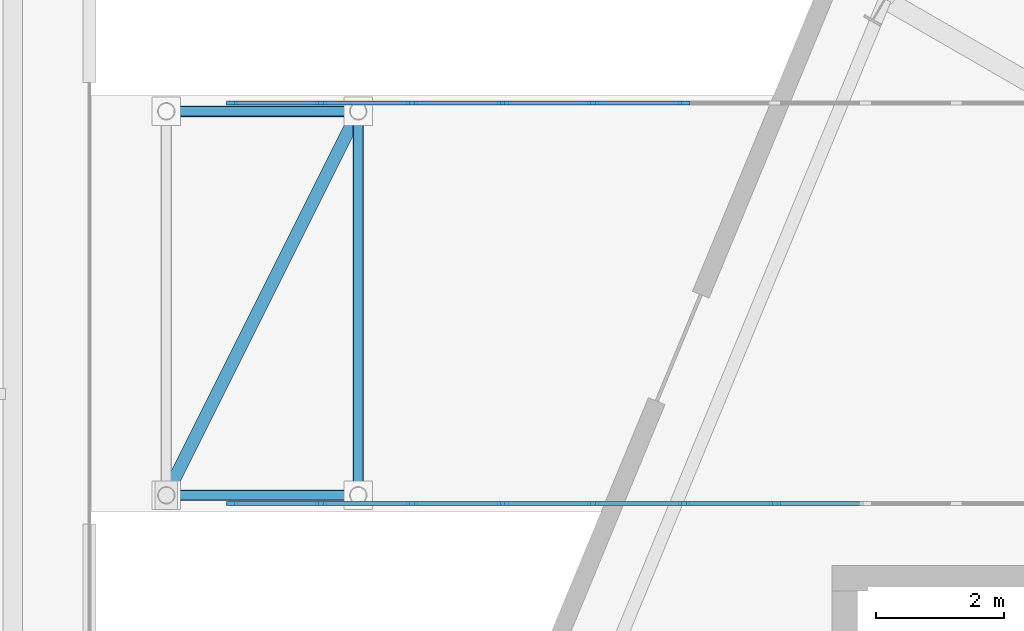
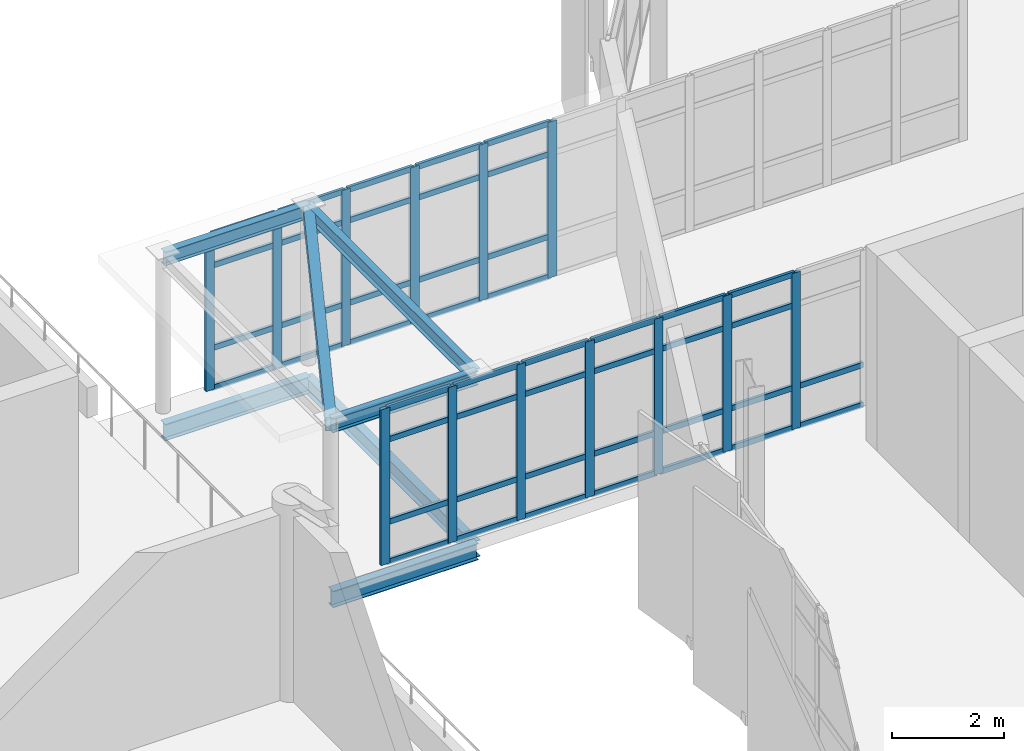
# One storey, part 43 of 120: 60 members, 6 beams, 2 elements without a shape of their own.
"""IFC4 building model written with IfcOpenShell, lengths in metres."""

import ifcopenshell
import ifcopenshell.guid

model = None  # the IFC model being written
_history = None  # IfcOwnerHistory: only IFC2X3 demands one
_inside = {}  # id of a spatial element -> (the spatial element, [elements in it])
_under = {}  # id of a project, library or spatial element -> (it, [spatial elements below it])
_declared = {}  # id of a project -> (the project, [libraries it declares])
_typed = {}  # id of a type object -> (the type object, [elements of that type])
_made_of = {}  # id of a material, layer set ... -> (it, [elements and type objects made of it])


def new_model(schema):
    """Start an empty IFC model of exactly this schema.

    Asked for "IFC4X3", IfcOpenShell would pick the latest addendum, in which some entities
    have other attributes; the version numbers below select the first issue.
    IFC2X3 requires an IfcOwnerHistory on every rooted entity: one is made here for all.
    """
    global model, _history
    if schema == "IFC4X3":
        model = ifcopenshell.file(schema_version=(4, 3, 0, 0))
    else:
        model = ifcopenshell.file(schema=schema)
    _inside.clear()
    _under.clear()
    _declared.clear()
    _typed.clear()
    _made_of.clear()
    _history = None
    if model.schema == "IFC2X3":
        org = make("IfcOrganization", Name="unknown")
        user = make(
            "IfcPersonAndOrganization",
            ThePerson=make("IfcPerson", FamilyName="unknown"),
            TheOrganization=org,
        )
        app = make(
            "IfcApplication",
            ApplicationDeveloper=org,
            Version="unknown",
            ApplicationFullName="unknown",
            ApplicationIdentifier="unknown",
        )
        _history = make(
            "IfcOwnerHistory",
            OwningUser=user,
            OwningApplication=app,
            ChangeAction="ADDED",
            CreationDate=0,
        )
    return model


def make(cls, **values):
    """One entity of the class cls with the attributes given. An attribute that is None is left unset."""
    return model.create_entity(
        cls, **{name: value for name, value in values.items() if value is not None}
    )


def rooted(cls, **values):
    """An entity with a GlobalId (a new one), such as an element, a storey or a relation."""
    return make(cls, GlobalId=ifcopenshell.guid.new(), OwnerHistory=_history, **values)


def si_unit(unit_type, name, prefix=None):
    """IfcSIUnit, for example si_unit("LENGTHUNIT", "METRE", prefix="MILLI")."""
    return make("IfcSIUnit", UnitType=unit_type, Prefix=prefix, Name=name)


def assignment(units):
    """IfcUnitAssignment: the units of a project."""
    return None if units is None else make("IfcUnitAssignment", Units=units)


def point(xyz):
    """IfcCartesianPoint."""
    return None if xyz is None else make("IfcCartesianPoint", Coordinates=xyz)


def direction(xyz):
    """IfcDirection."""
    return None if xyz is None else make("IfcDirection", DirectionRatios=xyz)


def frame(location, z_axis=None, x_axis=None):
    """IfcAxis2Placement3D, a coordinate frame: its origin and axes. An axis left out is left unset."""
    return make(
        "IfcAxis2Placement3D",
        Location=point(location),
        Axis=direction(z_axis),
        RefDirection=direction(x_axis),
    )


def frame_2d(location, x_axis=None):
    """IfcAxis2Placement2D, a coordinate frame in the plane: its origin and x axis."""
    return make(
        "IfcAxis2Placement2D", Location=point(location), RefDirection=direction(x_axis)
    )


def origin():
    """The frame at (0, 0, 0) with its axes left unset."""
    return frame((0.0, 0.0, 0.0))


def origin_2d():
    """The frame at (0, 0) in the plane with its x axis left unset."""
    return frame_2d((0.0, 0.0))


def place(relative_to, where):
    """IfcLocalPlacement: puts the frame where relative to a parent placement (None: the world)."""
    return make(
        "IfcLocalPlacement", PlacementRelTo=relative_to, RelativePlacement=where
    )


def context(
    kind, dimensions, precision=None, world=None, true_north=None, identifier=None
):
    """IfcGeometricRepresentationContext, for example the 3D "Model" context."""
    return make(
        "IfcGeometricRepresentationContext",
        ContextIdentifier=identifier,
        ContextType=kind,
        CoordinateSpaceDimension=dimensions,
        Precision=precision,
        WorldCoordinateSystem=world,
        TrueNorth=true_north,
    )


def subcontext(parent, identifier, kind, view, scale=None):
    """IfcGeometricRepresentationSubContext, for example "Body" below "Model"."""
    return make(
        "IfcGeometricRepresentationSubContext",
        ContextIdentifier=identifier,
        ContextType=kind,
        ParentContext=parent,
        TargetScale=scale,
        TargetView=view,
    )


def project(units=None, contexts=None):
    """IfcProject with its units and contexts."""
    return rooted(
        "IfcProject",
        Name="project",
        RepresentationContexts=contexts,
        UnitsInContext=assignment(units),
    )


def spatial(cls, under=None, at=None, **own):
    """A site, building, storey or space (cls), placed at a placement, below another one or the project."""
    s = rooted(cls, ObjectPlacement=at, **own)
    if under is not None:
        _under.setdefault(under.id(), (under, []))[1].append(s)
    return s


def profile(cls, at=None, kind="AREA", **sizes):
    """A parametric profile (cls). Its sizes go by their IFC names, for example OverallWidth=200.0."""
    return make(cls, ProfileType=kind, Position=at, **sizes)


def rectangle(**sizes):
    """IfcRectangleProfileDef."""
    return profile("IfcRectangleProfileDef", **sizes)


def hollow_rectangle(**sizes):
    """IfcRectangleHollowProfileDef."""
    return profile("IfcRectangleHollowProfileDef", **sizes)


def i_section(**sizes):
    """IfcIShapeProfileDef."""
    return profile("IfcIShapeProfileDef", **sizes)


def extrude(swept, where, along, depth):
    """IfcExtrudedAreaSolid: the profile swept, set in the frame where, extruded along a direction by depth."""
    return make(
        "IfcExtrudedAreaSolid",
        SweptArea=swept,
        Position=where,
        ExtrudedDirection=direction(along),
        Depth=depth,
    )


def shape(context_of_items, identifier, shape_type, items):
    """IfcShapeRepresentation: the items that make up one representation, for example the "Body"."""
    return make(
        "IfcShapeRepresentation",
        ContextOfItems=context_of_items,
        RepresentationIdentifier=identifier,
        RepresentationType=shape_type,
        Items=items,
    )


def material(Name=None, Category=None):
    """IfcMaterial."""
    return make("IfcMaterial", Name=Name, Category=Category)


def layer(
    of_material, thickness, ventilated=None, Name=None, Category=None, Priority=None
):
    """IfcMaterialLayer: one layer of a wall or slab, of a material (None: an air gap)."""
    return make(
        "IfcMaterialLayer",
        Material=of_material,
        LayerThickness=thickness,
        IsVentilated=ventilated,
        Name=Name,
        Category=Category,
        Priority=Priority,
    )


def layer_set(layers, Name=None):
    """IfcMaterialLayerSet."""
    return make("IfcMaterialLayerSet", MaterialLayers=layers, LayerSetName=Name)


def material_profile(
    of_material, cross_section, Name=None, Category=None, Priority=None
):
    """IfcMaterialProfile: a cross section and its material."""
    return make(
        "IfcMaterialProfile",
        Name=Name,
        Material=of_material,
        Profile=cross_section,
        Priority=Priority,
        Category=Category,
    )


def profile_set(profiles, Name=None, composite=None):
    """IfcMaterialProfileSet."""
    return make(
        "IfcMaterialProfileSet",
        Name=Name,
        MaterialProfiles=profiles,
        CompositeProfile=composite,
    )


def made_of(thing, what):
    """Note that an element or type object is made of a material, layer set ...; save() writes the relation."""
    if what is not None:
        _made_of.setdefault(what.id(), (what, []))[1].append(thing)
    return thing


def type_object(cls, material=None, **own):
    """A type object (cls), such as IfcWallType, which elements share."""
    return made_of(rooted(cls, **own), material)


def element(
    cls,
    number,
    at=None,
    inside=None,
    cuts=None,
    type_object=None,
    material=None,
    context=None,
    identifier="Body",
    shape_type=None,
    held_by="IfcProductDefinitionShape",
    body=None,
    shapes=None,
    **own,
):
    """One element of the class cls, such as IfcWall. Its Tag is "e" and its number.

    at: its placement. inside: the storey or other place that contains it. cuts: it is an
    opening in that element (IfcRelVoidsElement). A single representation is given by context,
    identifier, shape_type and body (its items); several are given by shapes. held_by: the class
    of the entity that holds the representations. save() writes the other relations.
    """
    e = rooted(cls, Tag="e%d" % number, ObjectPlacement=at, **own)
    if body is not None:
        shapes = [shape(context, identifier, shape_type, body)]
    if shapes is not None:
        e.Representation = make(held_by, Representations=shapes)
    if inside is not None:
        _inside.setdefault(inside.id(), (inside, []))[1].append(e)
    if cuts is not None:
        rooted(
            "IfcRelVoidsElement", RelatingBuildingElement=cuts, RelatedOpeningElement=e
        )
    if type_object is not None:
        _typed.setdefault(type_object.id(), (type_object, []))[1].append(e)
    return made_of(e, material)


def aggregate(whole, parts):
    """IfcRelAggregates: a whole, such as a stair, and the parts it consists of."""
    return rooted("IfcRelAggregates", RelatingObject=whole, RelatedObjects=parts)


def save(model, path):
    """Write the relations noted so far, then the file.

    IfcRelAggregates (storeys below a building ...), IfcRelContainedInSpatialStructure (elements
    in a storey), IfcRelDefinesByType, IfcRelAssociatesMaterial and IfcRelDeclares: one each for
    every whole, place, type object, material and project.
    """
    for whole, parts in _under.values():
        aggregate(whole, parts)
    for where, things in _inside.values():
        rooted(
            "IfcRelContainedInSpatialStructure",
            RelatedElements=things,
            RelatingStructure=where,
        )
    for kind, things in _typed.values():
        rooted("IfcRelDefinesByType", RelatedObjects=things, RelatingType=kind)
    for what, things in _made_of.values():
        rooted("IfcRelAssociatesMaterial", RelatedObjects=things, RelatingMaterial=what)
    for by, libraries in _declared.values():
        rooted("IfcRelDeclares", RelatingContext=by, RelatedDefinitions=libraries)
    model.write(path)


model = new_model("IFC4")

# Units and contexts
model_context = context("Model", 3, precision=1e-05, world=origin(), true_north=direction((0.0, 1.0)))
body_context = subcontext(model_context, "Body", "Model", "MODEL_VIEW")
ifc_project = project(units=[si_unit("LENGTHUNIT", "METRE"), si_unit("AREAUNIT", "SQUARE_METRE"), si_unit("VOLUMEUNIT", "CUBIC_METRE"), si_unit("PLANEANGLEUNIT", "RADIAN"), si_unit("MASSUNIT", "GRAM", prefix="KILO")], contexts=[model_context])

# Site, building, storey
site_placement = place(None, origin())
site = spatial("IfcSite", under=ifc_project, at=site_placement, CompositionType="ELEMENT")
building_placement = place(site_placement, origin())
building = spatial("IfcBuilding", under=site, at=building_placement, Name="Sohan Crest Arena", CompositionType="ELEMENT")
storey_placement = place(building_placement, frame((0.0, 0.0, 13.5)))
storey = spatial("IfcBuildingStorey", under=building, at=storey_placement, Name="L03", CompositionType="ELEMENT", Elevation=13.5)

# Curtain wall, members
ifc_material_1 = material(Name="Thermally broken anodised aluminium", Category="aluminium")
ifc_layer = layer(ifc_material_1, 0.18994140625, Name="Thermally broken anodised aluminium")
ifc_layer_set = layer_set([ifc_layer], Name="Thermally broken anodised aluminium")
curtain_wall_type = type_object("IfcCurtainWallType", Name="ARC-CW05", PredefinedType="NOTDEFINED", material=ifc_layer_set)
curtain_wall_1_placement = place(storey_placement, origin())
curtain_wall_1 = element("IfcCurtainWall", 1, at=curtain_wall_1_placement, inside=storey, type_object=curtain_wall_type, Name="Unitised curtain wall CW-237", PredefinedType="NOTDEFINED")
ifc_material_profile_1 = material_profile(ifc_material_1, rectangle(XDim=0.06494140625, YDim=0.179931640625, at=origin_2d()), Name="ALU-MULL 65x180")
ifc_profile_set_1 = profile_set([ifc_material_profile_1], Name="Thermally broken anodised aluminium")
member_type_1 = type_object("IfcMemberType", Name="ARC-CW-ML02", PredefinedType="MULLION", material=ifc_profile_set_1)
member_1_placement = place(storey_placement, frame((46.232421875, 94.1201171875, 0.0), z_axis=(0.0, 0.0, 1.0), x_axis=(0.0, 1.0, 0.0)))
member_1 = element("IfcMember", 2, at=member_1_placement, type_object=member_type_1, Name="CW-237 mullion 1", PredefinedType="MULLION", context=body_context, shape_type="SweptSolid", body=[
    extrude(rectangle(XDim=0.06494140625, YDim=0.179931640625, at=origin_2d()), origin(), (0.0, 0.0, 1.0), 3.39990234375),
])
member_2_placement = place(storey_placement, frame((47.6181640625, 94.1201171875, 0.0), z_axis=(0.0, 0.0, 1.0), x_axis=(0.0, 1.0, 0.0)))
member_2 = element("IfcMember", 3, at=member_2_placement, type_object=member_type_1, Name="CW-237 mullion 2", PredefinedType="MULLION", context=body_context, shape_type="SweptSolid", body=[
    extrude(rectangle(XDim=0.06494140625, YDim=0.179931640625, at=origin_2d()), origin(), (0.0, 0.0, 1.0), 3.39990234375),
])
member_3_placement = place(storey_placement, frame((49.036376953125, 94.1201171875, 0.0), z_axis=(0.0, 0.0, 1.0), x_axis=(0.0, 1.0, 0.0)))
member_3 = element("IfcMember", 4, at=member_3_placement, type_object=member_type_1, Name="CW-237 mullion 3", PredefinedType="MULLION", context=body_context, shape_type="SweptSolid", body=[
    extrude(rectangle(XDim=0.06494140625, YDim=0.179931640625, at=origin_2d()), origin(), (0.0, 0.0, 1.0), 3.39990234375),
])
member_4_placement = place(storey_placement, frame((50.45458984375, 94.1201171875, 0.0), z_axis=(0.0, 0.0, 1.0), x_axis=(0.0, 1.0, 0.0)))
member_4 = element("IfcMember", 5, at=member_4_placement, type_object=member_type_1, Name="CW-237 mullion 4", PredefinedType="MULLION", context=body_context, shape_type="SweptSolid", body=[
    extrude(rectangle(XDim=0.06494140625, YDim=0.179931640625, at=origin_2d()), origin(), (0.0, 0.0, 1.0), 3.39990234375),
])
member_5_placement = place(storey_placement, frame((51.872802734375, 94.1201171875, 0.0), z_axis=(0.0, 0.0, 1.0), x_axis=(0.0, 1.0, 0.0)))
member_5 = element("IfcMember", 6, at=member_5_placement, type_object=member_type_1, Name="CW-237 mullion 5", PredefinedType="MULLION", context=body_context, shape_type="SweptSolid", body=[
    extrude(rectangle(XDim=0.06494140625, YDim=0.179931640625, at=origin_2d()), origin(), (0.0, 0.0, 1.0), 3.39990234375),
])
member_6_placement = place(storey_placement, frame((53.291015625, 94.1201171875, 0.0), z_axis=(0.0, 0.0, 1.0), x_axis=(0.0, 1.0, 0.0)))
member_6 = element("IfcMember", 7, at=member_6_placement, type_object=member_type_1, Name="CW-237 mullion 6", PredefinedType="MULLION", context=body_context, shape_type="SweptSolid", body=[
    extrude(rectangle(XDim=0.06494140625, YDim=0.179931640625, at=origin_2d()), origin(), (0.0, 0.0, 1.0), 3.39990234375),
])
member_7_placement = place(storey_placement, frame((54.708984375, 94.1201171875, 0.0), z_axis=(0.0, 0.0, 1.0), x_axis=(0.0, 1.0, 0.0)))
member_7 = element("IfcMember", 8, at=member_7_placement, type_object=member_type_1, Name="CW-237 mullion 7", PredefinedType="MULLION", context=body_context, shape_type="SweptSolid", body=[
    extrude(rectangle(XDim=0.06494140625, YDim=0.179931640625, at=origin_2d()), origin(), (0.0, 0.0, 1.0), 3.39990234375),
])

curtain_wall_2_placement = place(storey_placement, origin())
curtain_wall_2 = element("IfcCurtainWall", 9, at=curtain_wall_2_placement, inside=storey, type_object=curtain_wall_type, Name="Unitised curtain wall CW-238", PredefinedType="NOTDEFINED")
member_8_placement = place(storey_placement, frame((46.232421875, 100.3798828125, 0.0), z_axis=(0.0, 0.0, 1.0), x_axis=(0.0, 1.0, 0.0)))
member_8 = element("IfcMember", 10, at=member_8_placement, type_object=member_type_1, Name="CW-238 mullion 1", PredefinedType="MULLION", context=body_context, shape_type="SweptSolid", body=[
    extrude(rectangle(XDim=0.06494140625, YDim=0.179931640625, at=origin_2d()), origin(), (0.0, 0.0, 1.0), 3.39990234375),
])
member_9_placement = place(storey_placement, frame((47.6181640625, 100.3798828125, 0.0), z_axis=(0.0, 0.0, 1.0), x_axis=(0.0, 1.0, 0.0)))
member_9 = element("IfcMember", 11, at=member_9_placement, type_object=member_type_1, Name="CW-238 mullion 2", PredefinedType="MULLION", context=body_context, shape_type="SweptSolid", body=[
    extrude(rectangle(XDim=0.06494140625, YDim=0.179931640625, at=origin_2d()), origin(), (0.0, 0.0, 1.0), 3.39990234375),
])
member_10_placement = place(storey_placement, frame((49.036376953125, 100.3798828125, 0.0), z_axis=(0.0, 0.0, 1.0), x_axis=(0.0, 1.0, 0.0)))
member_10 = element("IfcMember", 12, at=member_10_placement, type_object=member_type_1, Name="CW-238 mullion 3", PredefinedType="MULLION", context=body_context, shape_type="SweptSolid", body=[
    extrude(rectangle(XDim=0.06494140625, YDim=0.179931640625, at=origin_2d()), origin(), (0.0, 0.0, 1.0), 3.39990234375),
])
member_11_placement = place(storey_placement, frame((50.45458984375, 100.3798828125, 0.0), z_axis=(0.0, 0.0, 1.0), x_axis=(0.0, 1.0, 0.0)))
member_11 = element("IfcMember", 13, at=member_11_placement, type_object=member_type_1, Name="CW-238 mullion 4", PredefinedType="MULLION", context=body_context, shape_type="SweptSolid", body=[
    extrude(rectangle(XDim=0.06494140625, YDim=0.179931640625, at=origin_2d()), origin(), (0.0, 0.0, 1.0), 3.39990234375),
])
member_12_placement = place(storey_placement, frame((51.872802734375, 100.3798828125, 0.0), z_axis=(0.0, 0.0, 1.0), x_axis=(0.0, 1.0, 0.0)))
member_12 = element("IfcMember", 14, at=member_12_placement, type_object=member_type_1, Name="CW-238 mullion 5", PredefinedType="MULLION", context=body_context, shape_type="SweptSolid", body=[
    extrude(rectangle(XDim=0.06494140625, YDim=0.179931640625, at=origin_2d()), origin(), (0.0, 0.0, 1.0), 3.39990234375),
])
member_13_placement = place(storey_placement, frame((53.291015625, 100.3798828125, 0.0), z_axis=(0.0, 0.0, 1.0), x_axis=(0.0, 1.0, 0.0)))
member_13 = element("IfcMember", 15, at=member_13_placement, type_object=member_type_1, Name="CW-238 mullion 6", PredefinedType="MULLION", context=body_context, shape_type="SweptSolid", body=[
    extrude(rectangle(XDim=0.06494140625, YDim=0.179931640625, at=origin_2d()), origin(), (0.0, 0.0, 1.0), 3.39990234375),
])

# Member
ifc_material_profile_2 = material_profile(ifc_material_1, rectangle(XDim=0.06005859375, YDim=0.1201171875, at=origin_2d()), Name="ALU-TRAN 60x120")
ifc_profile_set_2 = profile_set([ifc_material_profile_2], Name="Thermally broken anodised aluminium")
member_type_2 = type_object("IfcMemberType", Name="ARC-CW-TR01", PredefinedType="USERDEFINED", material=ifc_profile_set_2)
member_14_placement = place(storey_placement, frame((46.264892578125, 94.1201171875, 0.030029296875), z_axis=(1.0, 0.0, 0.0), x_axis=(0.0, 1.0, 0.0)))
member_14 = element("IfcMember", 16, at=member_14_placement, type_object=member_type_2, Name="CW-237 transom 1.1", ObjectType="TRANSOM", PredefinedType="USERDEFINED", context=body_context, shape_type="SweptSolid", body=[
    extrude(rectangle(XDim=0.06005859375, YDim=0.1201171875, at=origin_2d()), origin(), (0.0, 0.0, 1.0), 1.32080078125),
])

member_15_placement = place(storey_placement, frame((46.264892578125, 94.1201171875, 0.89990234375), z_axis=(1.0, 0.0, 0.0), x_axis=(0.0, 1.0, 0.0)))
member_15 = element("IfcMember", 17, at=member_15_placement, type_object=member_type_2, Name="CW-237 transom 1.2", ObjectType="TRANSOM", PredefinedType="USERDEFINED", context=body_context, shape_type="SweptSolid", body=[
    extrude(rectangle(XDim=0.06005859375, YDim=0.1201171875, at=origin_2d()), origin(), (0.0, 0.0, 1.0), 1.32080078125),
])

member_16_placement = place(storey_placement, frame((46.264892578125, 94.1201171875, 2.699951171875), z_axis=(1.0, 0.0, 0.0), x_axis=(0.0, 1.0, 0.0)))
member_16 = element("IfcMember", 18, at=member_16_placement, type_object=member_type_2, Name="CW-237 transom 1.3", ObjectType="TRANSOM", PredefinedType="USERDEFINED", context=body_context, shape_type="SweptSolid", body=[
    extrude(rectangle(XDim=0.06005859375, YDim=0.1201171875, at=origin_2d()), origin(), (0.0, 0.0, 1.0), 1.32080078125),
])

member_17_placement = place(storey_placement, frame((46.264892578125, 94.1201171875, 3.3701171875), z_axis=(1.0, 0.0, 0.0), x_axis=(0.0, 1.0, 0.0)))
member_17 = element("IfcMember", 19, at=member_17_placement, type_object=member_type_2, Name="CW-237 transom 1.4", ObjectType="TRANSOM", PredefinedType="USERDEFINED", context=body_context, shape_type="SweptSolid", body=[
    extrude(rectangle(XDim=0.06005859375, YDim=0.1201171875, at=origin_2d()), origin(), (0.0, 0.0, 1.0), 1.32080078125),
])

member_18_placement = place(storey_placement, frame((47.650634765625, 94.1201171875, 0.030029296875), z_axis=(1.0, 0.0, 0.0), x_axis=(0.0, 1.0, 0.0)))
member_18 = element("IfcMember", 20, at=member_18_placement, type_object=member_type_2, Name="CW-237 transom 2.1", ObjectType="TRANSOM", PredefinedType="USERDEFINED", context=body_context, shape_type="SweptSolid", body=[
    extrude(rectangle(XDim=0.06005859375, YDim=0.1201171875, at=origin_2d()), origin(), (0.0, 0.0, 1.0), 1.353271484375),
])

member_19_placement = place(storey_placement, frame((47.650634765625, 94.1201171875, 0.89990234375), z_axis=(1.0, 0.0, 0.0), x_axis=(0.0, 1.0, 0.0)))
member_19 = element("IfcMember", 21, at=member_19_placement, type_object=member_type_2, Name="CW-237 transom 2.2", ObjectType="TRANSOM", PredefinedType="USERDEFINED", context=body_context, shape_type="SweptSolid", body=[
    extrude(rectangle(XDim=0.06005859375, YDim=0.1201171875, at=origin_2d()), origin(), (0.0, 0.0, 1.0), 1.353271484375),
])

member_20_placement = place(storey_placement, frame((47.650634765625, 94.1201171875, 2.699951171875), z_axis=(1.0, 0.0, 0.0), x_axis=(0.0, 1.0, 0.0)))
member_20 = element("IfcMember", 22, at=member_20_placement, type_object=member_type_2, Name="CW-237 transom 2.3", ObjectType="TRANSOM", PredefinedType="USERDEFINED", context=body_context, shape_type="SweptSolid", body=[
    extrude(rectangle(XDim=0.06005859375, YDim=0.1201171875, at=origin_2d()), origin(), (0.0, 0.0, 1.0), 1.353271484375),
])

member_21_placement = place(storey_placement, frame((47.650634765625, 94.1201171875, 3.3701171875), z_axis=(1.0, 0.0, 0.0), x_axis=(0.0, 1.0, 0.0)))
member_21 = element("IfcMember", 23, at=member_21_placement, type_object=member_type_2, Name="CW-237 transom 2.4", ObjectType="TRANSOM", PredefinedType="USERDEFINED", context=body_context, shape_type="SweptSolid", body=[
    extrude(rectangle(XDim=0.06005859375, YDim=0.1201171875, at=origin_2d()), origin(), (0.0, 0.0, 1.0), 1.353271484375),
])

member_22_placement = place(storey_placement, frame((49.06884765625, 94.1201171875, 0.030029296875), z_axis=(1.0, 0.0, 0.0), x_axis=(0.0, 1.0, 0.0)))
member_22 = element("IfcMember", 24, at=member_22_placement, type_object=member_type_2, Name="CW-237 transom 3.1", ObjectType="TRANSOM", PredefinedType="USERDEFINED", context=body_context, shape_type="SweptSolid", body=[
    extrude(rectangle(XDim=0.06005859375, YDim=0.1201171875, at=origin_2d()), origin(), (0.0, 0.0, 1.0), 1.353271484375),
])

member_23_placement = place(storey_placement, frame((49.06884765625, 94.1201171875, 0.89990234375), z_axis=(1.0, 0.0, 0.0), x_axis=(0.0, 1.0, 0.0)))
member_23 = element("IfcMember", 25, at=member_23_placement, type_object=member_type_2, Name="CW-237 transom 3.2", ObjectType="TRANSOM", PredefinedType="USERDEFINED", context=body_context, shape_type="SweptSolid", body=[
    extrude(rectangle(XDim=0.06005859375, YDim=0.1201171875, at=origin_2d()), origin(), (0.0, 0.0, 1.0), 1.353271484375),
])

member_24_placement = place(storey_placement, frame((49.06884765625, 94.1201171875, 2.699951171875), z_axis=(1.0, 0.0, 0.0), x_axis=(0.0, 1.0, 0.0)))
member_24 = element("IfcMember", 26, at=member_24_placement, type_object=member_type_2, Name="CW-237 transom 3.3", ObjectType="TRANSOM", PredefinedType="USERDEFINED", context=body_context, shape_type="SweptSolid", body=[
    extrude(rectangle(XDim=0.06005859375, YDim=0.1201171875, at=origin_2d()), origin(), (0.0, 0.0, 1.0), 1.353271484375),
])

member_25_placement = place(storey_placement, frame((49.06884765625, 94.1201171875, 3.3701171875), z_axis=(1.0, 0.0, 0.0), x_axis=(0.0, 1.0, 0.0)))
member_25 = element("IfcMember", 27, at=member_25_placement, type_object=member_type_2, Name="CW-237 transom 3.4", ObjectType="TRANSOM", PredefinedType="USERDEFINED", context=body_context, shape_type="SweptSolid", body=[
    extrude(rectangle(XDim=0.06005859375, YDim=0.1201171875, at=origin_2d()), origin(), (0.0, 0.0, 1.0), 1.353271484375),
])

member_26_placement = place(storey_placement, frame((50.487060546875, 94.1201171875, 0.030029296875), z_axis=(1.0, 0.0, 0.0), x_axis=(0.0, 1.0, 0.0)))
member_26 = element("IfcMember", 28, at=member_26_placement, type_object=member_type_2, Name="CW-237 transom 4.1", ObjectType="TRANSOM", PredefinedType="USERDEFINED", context=body_context, shape_type="SweptSolid", body=[
    extrude(rectangle(XDim=0.06005859375, YDim=0.1201171875, at=origin_2d()), origin(), (0.0, 0.0, 1.0), 1.353271484375),
])

member_27_placement = place(storey_placement, frame((50.487060546875, 94.1201171875, 0.89990234375), z_axis=(1.0, 0.0, 0.0), x_axis=(0.0, 1.0, 0.0)))
member_27 = element("IfcMember", 29, at=member_27_placement, type_object=member_type_2, Name="CW-237 transom 4.2", ObjectType="TRANSOM", PredefinedType="USERDEFINED", context=body_context, shape_type="SweptSolid", body=[
    extrude(rectangle(XDim=0.06005859375, YDim=0.1201171875, at=origin_2d()), origin(), (0.0, 0.0, 1.0), 1.353271484375),
])

member_28_placement = place(storey_placement, frame((50.487060546875, 94.1201171875, 2.699951171875), z_axis=(1.0, 0.0, 0.0), x_axis=(0.0, 1.0, 0.0)))
member_28 = element("IfcMember", 30, at=member_28_placement, type_object=member_type_2, Name="CW-237 transom 4.3", ObjectType="TRANSOM", PredefinedType="USERDEFINED", context=body_context, shape_type="SweptSolid", body=[
    extrude(rectangle(XDim=0.06005859375, YDim=0.1201171875, at=origin_2d()), origin(), (0.0, 0.0, 1.0), 1.353271484375),
])

member_29_placement = place(storey_placement, frame((50.487060546875, 94.1201171875, 3.3701171875), z_axis=(1.0, 0.0, 0.0), x_axis=(0.0, 1.0, 0.0)))
member_29 = element("IfcMember", 31, at=member_29_placement, type_object=member_type_2, Name="CW-237 transom 4.4", ObjectType="TRANSOM", PredefinedType="USERDEFINED", context=body_context, shape_type="SweptSolid", body=[
    extrude(rectangle(XDim=0.06005859375, YDim=0.1201171875, at=origin_2d()), origin(), (0.0, 0.0, 1.0), 1.353271484375),
])

member_30_placement = place(storey_placement, frame((51.9052734375, 94.1201171875, 0.030029296875), z_axis=(1.0, 0.0, 0.0), x_axis=(0.0, 1.0, 0.0)))
member_30 = element("IfcMember", 32, at=member_30_placement, type_object=member_type_2, Name="CW-237 transom 5.1", ObjectType="TRANSOM", PredefinedType="USERDEFINED", context=body_context, shape_type="SweptSolid", body=[
    extrude(rectangle(XDim=0.06005859375, YDim=0.1201171875, at=origin_2d()), origin(), (0.0, 0.0, 1.0), 1.35302734375),
])

member_31_placement = place(storey_placement, frame((51.9052734375, 94.1201171875, 0.89990234375), z_axis=(1.0, 0.0, 0.0), x_axis=(0.0, 1.0, 0.0)))
member_31 = element("IfcMember", 33, at=member_31_placement, type_object=member_type_2, Name="CW-237 transom 5.2", ObjectType="TRANSOM", PredefinedType="USERDEFINED", context=body_context, shape_type="SweptSolid", body=[
    extrude(rectangle(XDim=0.06005859375, YDim=0.1201171875, at=origin_2d()), origin(), (0.0, 0.0, 1.0), 1.35302734375),
])

member_32_placement = place(storey_placement, frame((51.9052734375, 94.1201171875, 2.699951171875), z_axis=(1.0, 0.0, 0.0), x_axis=(0.0, 1.0, 0.0)))
member_32 = element("IfcMember", 34, at=member_32_placement, type_object=member_type_2, Name="CW-237 transom 5.3", ObjectType="TRANSOM", PredefinedType="USERDEFINED", context=body_context, shape_type="SweptSolid", body=[
    extrude(rectangle(XDim=0.06005859375, YDim=0.1201171875, at=origin_2d()), origin(), (0.0, 0.0, 1.0), 1.35302734375),
])

member_33_placement = place(storey_placement, frame((51.9052734375, 94.1201171875, 3.3701171875), z_axis=(1.0, 0.0, 0.0), x_axis=(0.0, 1.0, 0.0)))
member_33 = element("IfcMember", 35, at=member_33_placement, type_object=member_type_2, Name="CW-237 transom 5.4", ObjectType="TRANSOM", PredefinedType="USERDEFINED", context=body_context, shape_type="SweptSolid", body=[
    extrude(rectangle(XDim=0.06005859375, YDim=0.1201171875, at=origin_2d()), origin(), (0.0, 0.0, 1.0), 1.35302734375),
])

member_34_placement = place(storey_placement, frame((53.323486328125, 94.1201171875, 0.030029296875), z_axis=(1.0, 0.0, 0.0), x_axis=(0.0, 1.0, 0.0)))
member_34 = element("IfcMember", 36, at=member_34_placement, type_object=member_type_2, Name="CW-237 transom 6.1", ObjectType="TRANSOM", PredefinedType="USERDEFINED", context=body_context, shape_type="SweptSolid", body=[
    extrude(rectangle(XDim=0.06005859375, YDim=0.1201171875, at=origin_2d()), origin(), (0.0, 0.0, 1.0), 1.35302734375),
])

member_35_placement = place(storey_placement, frame((53.323486328125, 94.1201171875, 0.89990234375), z_axis=(1.0, 0.0, 0.0), x_axis=(0.0, 1.0, 0.0)))
member_35 = element("IfcMember", 37, at=member_35_placement, type_object=member_type_2, Name="CW-237 transom 6.2", ObjectType="TRANSOM", PredefinedType="USERDEFINED", context=body_context, shape_type="SweptSolid", body=[
    extrude(rectangle(XDim=0.06005859375, YDim=0.1201171875, at=origin_2d()), origin(), (0.0, 0.0, 1.0), 1.35302734375),
])

member_36_placement = place(storey_placement, frame((53.323486328125, 94.1201171875, 2.699951171875), z_axis=(1.0, 0.0, 0.0), x_axis=(0.0, 1.0, 0.0)))
member_36 = element("IfcMember", 38, at=member_36_placement, type_object=member_type_2, Name="CW-237 transom 6.3", ObjectType="TRANSOM", PredefinedType="USERDEFINED", context=body_context, shape_type="SweptSolid", body=[
    extrude(rectangle(XDim=0.06005859375, YDim=0.1201171875, at=origin_2d()), origin(), (0.0, 0.0, 1.0), 1.35302734375),
])

member_37_placement = place(storey_placement, frame((53.323486328125, 94.1201171875, 3.3701171875), z_axis=(1.0, 0.0, 0.0), x_axis=(0.0, 1.0, 0.0)))
member_37 = element("IfcMember", 39, at=member_37_placement, type_object=member_type_2, Name="CW-237 transom 6.4", ObjectType="TRANSOM", PredefinedType="USERDEFINED", context=body_context, shape_type="SweptSolid", body=[
    extrude(rectangle(XDim=0.06005859375, YDim=0.1201171875, at=origin_2d()), origin(), (0.0, 0.0, 1.0), 1.35302734375),
])

member_38_placement = place(storey_placement, frame((54.74169921875, 94.1201171875, 0.030029296875), z_axis=(1.0, 0.0, 0.0), x_axis=(0.0, 1.0, 0.0)))
member_38 = element("IfcMember", 40, at=member_38_placement, type_object=member_type_2, Name="CW-237 transom 7.1", ObjectType="TRANSOM", PredefinedType="USERDEFINED", context=body_context, shape_type="SweptSolid", body=[
    extrude(rectangle(XDim=0.06005859375, YDim=0.1201171875, at=origin_2d()), origin(), (0.0, 0.0, 1.0), 1.35302734375),
])

member_39_placement = place(storey_placement, frame((54.74169921875, 94.1201171875, 0.89990234375), z_axis=(1.0, 0.0, 0.0), x_axis=(0.0, 1.0, 0.0)))
member_39 = element("IfcMember", 41, at=member_39_placement, type_object=member_type_2, Name="CW-237 transom 7.2", ObjectType="TRANSOM", PredefinedType="USERDEFINED", context=body_context, shape_type="SweptSolid", body=[
    extrude(rectangle(XDim=0.06005859375, YDim=0.1201171875, at=origin_2d()), origin(), (0.0, 0.0, 1.0), 1.35302734375),
])

aggregate(curtain_wall_1, [member_1, member_2, member_3, member_4, member_5, member_6, member_7, member_14, member_15, member_16, member_17, member_18, member_19, member_20, member_21, member_22, member_23, member_24, member_25, member_26, member_27, member_28, member_29, member_30, member_31, member_32, member_33, member_34, member_35, member_36, member_37, member_38, member_39])

member_40_placement = place(storey_placement, frame((46.264892578125, 100.3798828125, 0.030029296875), z_axis=(1.0, 0.0, 0.0), x_axis=(0.0, 1.0, 0.0)))
member_40 = element("IfcMember", 42, at=member_40_placement, type_object=member_type_2, Name="CW-238 transom 1.1", ObjectType="TRANSOM", PredefinedType="USERDEFINED", context=body_context, shape_type="SweptSolid", body=[
    extrude(rectangle(XDim=0.06005859375, YDim=0.1201171875, at=origin_2d()), origin(), (0.0, 0.0, 1.0), 1.32080078125),
])

member_41_placement = place(storey_placement, frame((46.264892578125, 100.3798828125, 0.89990234375), z_axis=(1.0, 0.0, 0.0), x_axis=(0.0, 1.0, 0.0)))
member_41 = element("IfcMember", 43, at=member_41_placement, type_object=member_type_2, Name="CW-238 transom 1.2", ObjectType="TRANSOM", PredefinedType="USERDEFINED", context=body_context, shape_type="SweptSolid", body=[
    extrude(rectangle(XDim=0.06005859375, YDim=0.1201171875, at=origin_2d()), origin(), (0.0, 0.0, 1.0), 1.32080078125),
])

member_42_placement = place(storey_placement, frame((46.264892578125, 100.3798828125, 2.699951171875), z_axis=(1.0, 0.0, 0.0), x_axis=(0.0, 1.0, 0.0)))
member_42 = element("IfcMember", 44, at=member_42_placement, type_object=member_type_2, Name="CW-238 transom 1.3", ObjectType="TRANSOM", PredefinedType="USERDEFINED", context=body_context, shape_type="SweptSolid", body=[
    extrude(rectangle(XDim=0.06005859375, YDim=0.1201171875, at=origin_2d()), origin(), (0.0, 0.0, 1.0), 1.32080078125),
])

member_43_placement = place(storey_placement, frame((46.264892578125, 100.3798828125, 3.3701171875), z_axis=(1.0, 0.0, 0.0), x_axis=(0.0, 1.0, 0.0)))
member_43 = element("IfcMember", 45, at=member_43_placement, type_object=member_type_2, Name="CW-238 transom 1.4", ObjectType="TRANSOM", PredefinedType="USERDEFINED", context=body_context, shape_type="SweptSolid", body=[
    extrude(rectangle(XDim=0.06005859375, YDim=0.1201171875, at=origin_2d()), origin(), (0.0, 0.0, 1.0), 1.32080078125),
])

member_44_placement = place(storey_placement, frame((47.650634765625, 100.3798828125, 0.030029296875), z_axis=(1.0, 0.0, 0.0), x_axis=(0.0, 1.0, 0.0)))
member_44 = element("IfcMember", 46, at=member_44_placement, type_object=member_type_2, Name="CW-238 transom 2.1", ObjectType="TRANSOM", PredefinedType="USERDEFINED", context=body_context, shape_type="SweptSolid", body=[
    extrude(rectangle(XDim=0.06005859375, YDim=0.1201171875, at=origin_2d()), origin(), (0.0, 0.0, 1.0), 1.353271484375),
])

member_45_placement = place(storey_placement, frame((47.650634765625, 100.3798828125, 0.89990234375), z_axis=(1.0, 0.0, 0.0), x_axis=(0.0, 1.0, 0.0)))
member_45 = element("IfcMember", 47, at=member_45_placement, type_object=member_type_2, Name="CW-238 transom 2.2", ObjectType="TRANSOM", PredefinedType="USERDEFINED", context=body_context, shape_type="SweptSolid", body=[
    extrude(rectangle(XDim=0.06005859375, YDim=0.1201171875, at=origin_2d()), origin(), (0.0, 0.0, 1.0), 1.353271484375),
])

member_46_placement = place(storey_placement, frame((47.650634765625, 100.3798828125, 2.699951171875), z_axis=(1.0, 0.0, 0.0), x_axis=(0.0, 1.0, 0.0)))
member_46 = element("IfcMember", 48, at=member_46_placement, type_object=member_type_2, Name="CW-238 transom 2.3", ObjectType="TRANSOM", PredefinedType="USERDEFINED", context=body_context, shape_type="SweptSolid", body=[
    extrude(rectangle(XDim=0.06005859375, YDim=0.1201171875, at=origin_2d()), origin(), (0.0, 0.0, 1.0), 1.353271484375),
])

member_47_placement = place(storey_placement, frame((47.650634765625, 100.3798828125, 3.3701171875), z_axis=(1.0, 0.0, 0.0), x_axis=(0.0, 1.0, 0.0)))
member_47 = element("IfcMember", 49, at=member_47_placement, type_object=member_type_2, Name="CW-238 transom 2.4", ObjectType="TRANSOM", PredefinedType="USERDEFINED", context=body_context, shape_type="SweptSolid", body=[
    extrude(rectangle(XDim=0.06005859375, YDim=0.1201171875, at=origin_2d()), origin(), (0.0, 0.0, 1.0), 1.353271484375),
])

member_48_placement = place(storey_placement, frame((49.06884765625, 100.3798828125, 0.030029296875), z_axis=(1.0, 0.0, 0.0), x_axis=(0.0, 1.0, 0.0)))
member_48 = element("IfcMember", 50, at=member_48_placement, type_object=member_type_2, Name="CW-238 transom 3.1", ObjectType="TRANSOM", PredefinedType="USERDEFINED", context=body_context, shape_type="SweptSolid", body=[
    extrude(rectangle(XDim=0.06005859375, YDim=0.1201171875, at=origin_2d()), origin(), (0.0, 0.0, 1.0), 1.353271484375),
])

member_49_placement = place(storey_placement, frame((49.06884765625, 100.3798828125, 0.89990234375), z_axis=(1.0, 0.0, 0.0), x_axis=(0.0, 1.0, 0.0)))
member_49 = element("IfcMember", 51, at=member_49_placement, type_object=member_type_2, Name="CW-238 transom 3.2", ObjectType="TRANSOM", PredefinedType="USERDEFINED", context=body_context, shape_type="SweptSolid", body=[
    extrude(rectangle(XDim=0.06005859375, YDim=0.1201171875, at=origin_2d()), origin(), (0.0, 0.0, 1.0), 1.353271484375),
])

member_50_placement = place(storey_placement, frame((49.06884765625, 100.3798828125, 2.699951171875), z_axis=(1.0, 0.0, 0.0), x_axis=(0.0, 1.0, 0.0)))
member_50 = element("IfcMember", 52, at=member_50_placement, type_object=member_type_2, Name="CW-238 transom 3.3", ObjectType="TRANSOM", PredefinedType="USERDEFINED", context=body_context, shape_type="SweptSolid", body=[
    extrude(rectangle(XDim=0.06005859375, YDim=0.1201171875, at=origin_2d()), origin(), (0.0, 0.0, 1.0), 1.353271484375),
])

member_51_placement = place(storey_placement, frame((49.06884765625, 100.3798828125, 3.3701171875), z_axis=(1.0, 0.0, 0.0), x_axis=(0.0, 1.0, 0.0)))
member_51 = element("IfcMember", 53, at=member_51_placement, type_object=member_type_2, Name="CW-238 transom 3.4", ObjectType="TRANSOM", PredefinedType="USERDEFINED", context=body_context, shape_type="SweptSolid", body=[
    extrude(rectangle(XDim=0.06005859375, YDim=0.1201171875, at=origin_2d()), origin(), (0.0, 0.0, 1.0), 1.353271484375),
])

member_52_placement = place(storey_placement, frame((50.487060546875, 100.3798828125, 0.030029296875), z_axis=(1.0, 0.0, 0.0), x_axis=(0.0, 1.0, 0.0)))
member_52 = element("IfcMember", 54, at=member_52_placement, type_object=member_type_2, Name="CW-238 transom 4.1", ObjectType="TRANSOM", PredefinedType="USERDEFINED", context=body_context, shape_type="SweptSolid", body=[
    extrude(rectangle(XDim=0.06005859375, YDim=0.1201171875, at=origin_2d()), origin(), (0.0, 0.0, 1.0), 1.353271484375),
])

member_53_placement = place(storey_placement, frame((50.487060546875, 100.3798828125, 0.89990234375), z_axis=(1.0, 0.0, 0.0), x_axis=(0.0, 1.0, 0.0)))
member_53 = element("IfcMember", 55, at=member_53_placement, type_object=member_type_2, Name="CW-238 transom 4.2", ObjectType="TRANSOM", PredefinedType="USERDEFINED", context=body_context, shape_type="SweptSolid", body=[
    extrude(rectangle(XDim=0.06005859375, YDim=0.1201171875, at=origin_2d()), origin(), (0.0, 0.0, 1.0), 1.353271484375),
])

member_54_placement = place(storey_placement, frame((50.487060546875, 100.3798828125, 2.699951171875), z_axis=(1.0, 0.0, 0.0), x_axis=(0.0, 1.0, 0.0)))
member_54 = element("IfcMember", 56, at=member_54_placement, type_object=member_type_2, Name="CW-238 transom 4.3", ObjectType="TRANSOM", PredefinedType="USERDEFINED", context=body_context, shape_type="SweptSolid", body=[
    extrude(rectangle(XDim=0.06005859375, YDim=0.1201171875, at=origin_2d()), origin(), (0.0, 0.0, 1.0), 1.353271484375),
])

member_55_placement = place(storey_placement, frame((50.487060546875, 100.3798828125, 3.3701171875), z_axis=(1.0, 0.0, 0.0), x_axis=(0.0, 1.0, 0.0)))
member_55 = element("IfcMember", 57, at=member_55_placement, type_object=member_type_2, Name="CW-238 transom 4.4", ObjectType="TRANSOM", PredefinedType="USERDEFINED", context=body_context, shape_type="SweptSolid", body=[
    extrude(rectangle(XDim=0.06005859375, YDim=0.1201171875, at=origin_2d()), origin(), (0.0, 0.0, 1.0), 1.353271484375),
])

member_56_placement = place(storey_placement, frame((51.9052734375, 100.3798828125, 0.030029296875), z_axis=(1.0, 0.0, 0.0), x_axis=(0.0, 1.0, 0.0)))
member_56 = element("IfcMember", 58, at=member_56_placement, type_object=member_type_2, Name="CW-238 transom 5.1", ObjectType="TRANSOM", PredefinedType="USERDEFINED", context=body_context, shape_type="SweptSolid", body=[
    extrude(rectangle(XDim=0.06005859375, YDim=0.1201171875, at=origin_2d()), origin(), (0.0, 0.0, 1.0), 1.35302734375),
])

member_57_placement = place(storey_placement, frame((51.9052734375, 100.3798828125, 0.89990234375), z_axis=(1.0, 0.0, 0.0), x_axis=(0.0, 1.0, 0.0)))
member_57 = element("IfcMember", 59, at=member_57_placement, type_object=member_type_2, Name="CW-238 transom 5.2", ObjectType="TRANSOM", PredefinedType="USERDEFINED", context=body_context, shape_type="SweptSolid", body=[
    extrude(rectangle(XDim=0.06005859375, YDim=0.1201171875, at=origin_2d()), origin(), (0.0, 0.0, 1.0), 1.35302734375),
])

member_58_placement = place(storey_placement, frame((51.9052734375, 100.3798828125, 2.699951171875), z_axis=(1.0, 0.0, 0.0), x_axis=(0.0, 1.0, 0.0)))
member_58 = element("IfcMember", 60, at=member_58_placement, type_object=member_type_2, Name="CW-238 transom 5.3", ObjectType="TRANSOM", PredefinedType="USERDEFINED", context=body_context, shape_type="SweptSolid", body=[
    extrude(rectangle(XDim=0.06005859375, YDim=0.1201171875, at=origin_2d()), origin(), (0.0, 0.0, 1.0), 1.35302734375),
])

member_59_placement = place(storey_placement, frame((51.9052734375, 100.3798828125, 3.3701171875), z_axis=(1.0, 0.0, 0.0), x_axis=(0.0, 1.0, 0.0)))
member_59 = element("IfcMember", 61, at=member_59_placement, type_object=member_type_2, Name="CW-238 transom 5.4", ObjectType="TRANSOM", PredefinedType="USERDEFINED", context=body_context, shape_type="SweptSolid", body=[
    extrude(rectangle(XDim=0.06005859375, YDim=0.1201171875, at=origin_2d()), origin(), (0.0, 0.0, 1.0), 1.35302734375),
])

aggregate(curtain_wall_2, [member_8, member_9, member_10, member_11, member_12, member_13, member_40, member_41, member_42, member_43, member_44, member_45, member_46, member_47, member_48, member_49, member_50, member_51, member_52, member_53, member_54, member_55, member_56, member_57, member_58, member_59])

# Beams
ifc_material_2 = material(Name="Steel S355", Category="steel")
ifc_material_profile_3 = material_profile(ifc_material_2, i_section(OverallWidth=0.14990234375, OverallDepth=0.300048828125, WebThickness=0.007080078125, FlangeThickness=0.0107421875, at=origin_2d()), Name="IPE 300")
ifc_profile_set_3 = profile_set([ifc_material_profile_3], Name="Steel S355")
beam_type_1 = type_object("IfcBeamType", Name="STR-BM-B01", PredefinedType="JOIST", material=ifc_profile_set_3)
for number, where, z_axis, x_axis, name in (
    (62, (45.199951171875, 94.25, 3.324951171875), (1.0, 0.0, 0.0), (0.0, 1.0, 0.0), "Structural beam BRG-L03-2956"),
    (63, (45.199951171875, 100.25, 3.324951171875), (1.0, 0.0, 0.0), (0.0, 1.0, 0.0), "Structural beam BRG-L03-2957"),
):
    element("IfcBeam", number, at=place(storey_placement, frame(where, z_axis=z_axis, x_axis=x_axis)), inside=storey, type_object=beam_type_1, Name=name, PredefinedType="JOIST", context=body_context, shape_type="SweptSolid", body=[
        extrude(i_section(OverallWidth=0.14990234375, OverallDepth=0.300048828125, WebThickness=0.007080078125, FlangeThickness=0.0107421875, at=origin_2d()), origin(), (0.0, 0.0, 1.0), 3.0),
    ])
beam_1_placement = place(storey_placement, frame((48.199951171875, 94.25, 3.324951171875), z_axis=(0.0, 1.0, 0.0), x_axis=(-1.0, 0.0, 0.0)))
element("IfcBeam", 64, at=beam_1_placement, inside=storey, type_object=beam_type_1, Name="Structural beam BRG-L03-2959", PredefinedType="JOIST", context=body_context, shape_type="SweptSolid", body=[
    extrude(i_section(OverallWidth=0.14990234375, OverallDepth=0.300048828125, WebThickness=0.007080078125, FlangeThickness=0.0107421875, at=origin_2d()), origin(), (0.0, 0.0, 1.0), 6.0),
])
ifc_material_profile_4 = material_profile(ifc_material_2, i_section(OverallWidth=0.169921875, OverallDepth=0.360107421875, WebThickness=0.008056640625, FlangeThickness=0.0126953125, at=origin_2d()), Name="IPE 360")
ifc_profile_set_4 = profile_set([ifc_material_profile_4], Name="Steel S355")
beam_type_2 = type_object("IfcBeamType", Name="STR-BM-B02", PredefinedType="JOIST", material=ifc_profile_set_4)
for number, where, z_axis, x_axis, name in (
    (65, (45.199951171875, 94.25, -0.455078125), (1.0, 0.0, 0.0), (0.0, 1.0, 0.0), "Structural beam BG-L03-2952"),
    (66, (45.199951171875, 100.25, -0.455078125), (1.0, 0.0, 0.0), (0.0, 1.0, 0.0), "Structural beam BG-L03-2953"),
):
    element("IfcBeam", number, at=place(storey_placement, frame(where, z_axis=z_axis, x_axis=x_axis)), inside=storey, type_object=beam_type_2, Name=name, PredefinedType="JOIST", context=body_context, shape_type="SweptSolid", body=[
        extrude(i_section(OverallWidth=0.169921875, OverallDepth=0.360107421875, WebThickness=0.008056640625, FlangeThickness=0.0126953125, at=origin_2d()), origin(), (0.0, 0.0, 1.0), 3.0),
    ])
beam_2_placement = place(storey_placement, frame((48.199951171875, 94.25, -0.455078125), z_axis=(0.0, 1.0, 0.0), x_axis=(-1.0, 0.0, 0.0)))
element("IfcBeam", 67, at=beam_2_placement, inside=storey, type_object=beam_type_2, Name="Structural beam BG-L03-2955", PredefinedType="JOIST", context=body_context, shape_type="SweptSolid", body=[
    extrude(i_section(OverallWidth=0.169921875, OverallDepth=0.360107421875, WebThickness=0.008056640625, FlangeThickness=0.0126953125, at=origin_2d()), origin(), (0.0, 0.0, 1.0), 6.0),
])

# Member
ifc_material_profile_5 = material_profile(ifc_material_2, hollow_rectangle(XDim=0.199951171875, YDim=0.300048828125, WallThickness=0.010009765625, at=origin_2d()), Name="RHS 300x200x10")
ifc_profile_set_5 = profile_set([ifc_material_profile_5], Name="Steel S355")
member_type_3 = type_object("IfcMemberType", Name="STR-MEM-CH03", PredefinedType="CHORD", material=ifc_profile_set_5)
member_60_placement = place(storey_placement, frame((45.199951171875, 94.25, 3.324951171875), z_axis=(0.4472135955, 0.894427191, 0.0), x_axis=(-0.894427191, 0.4472135955, 0.0)))
element("IfcMember", 68, at=member_60_placement, inside=storey, type_object=member_type_3, Name="Bridge roof tie chord CH-002", PredefinedType="CHORD", context=body_context, shape_type="SweptSolid", body=[
    extrude(hollow_rectangle(XDim=0.199951171875, YDim=0.300048828125, WallThickness=0.010009765625, at=origin_2d()), origin(), (0.0, 0.0, 1.0), 6.708251953125),
])

save(model, "model.ifc")
